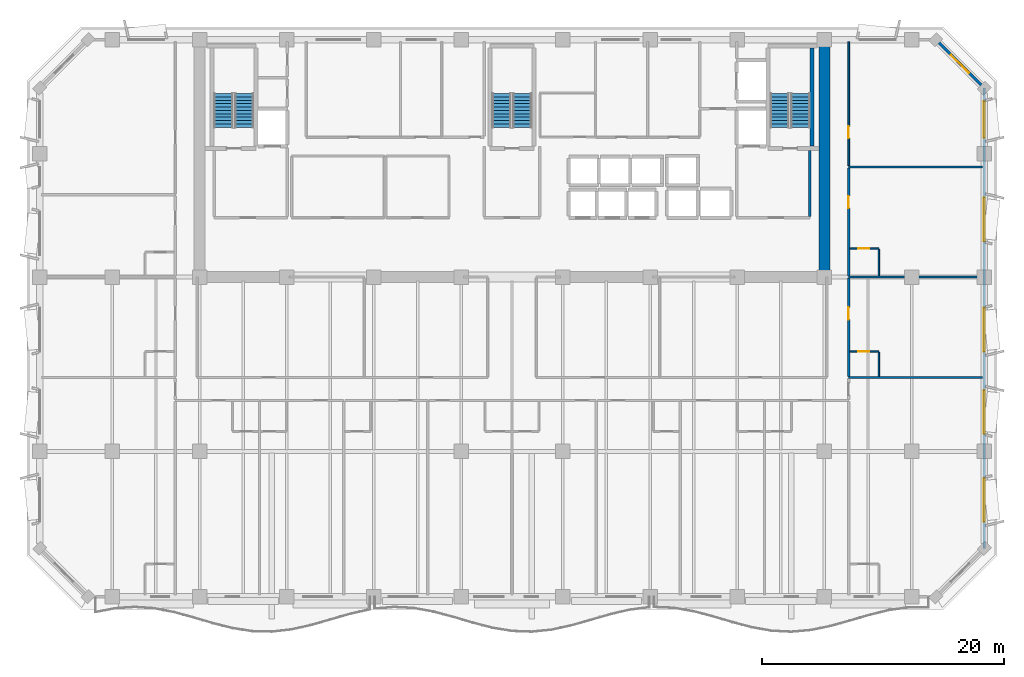
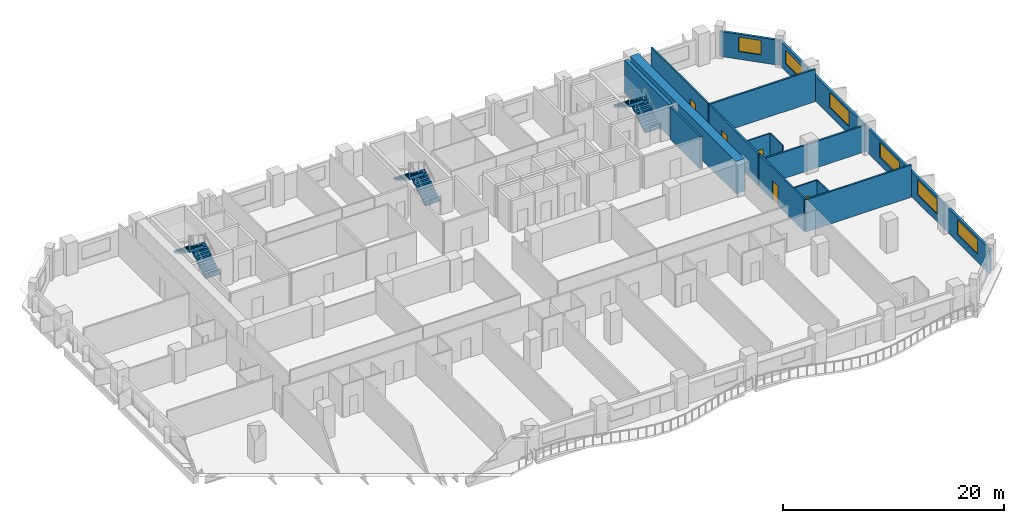
# One storey, part 9 of 14: 15 walls, 6 stair flights, 6 windows, 5 doors, 11 openings, 3 elements without a shape of their own.
"""IFC4 building model written with IfcOpenShell, lengths in metres."""

from ifc_helpers import new_model, si_unit, direction, frame, frame_2d, origin, place, context, subcontext, project, spatial, polyline, rectangle, outline, extrude, material, layer, layer_set, type_object, element, fill, aggregate, save


model = new_model("IFC4")

# Units and contexts
model_context = context("Model", 3, precision=1e-05, world=origin(), true_north=direction((0.0, 1.0)))
body_context = subcontext(model_context, "Body", "Model", "MODEL_VIEW")
ifc_project = project(units=[si_unit("LENGTHUNIT", "METRE"), si_unit("AREAUNIT", "SQUARE_METRE"), si_unit("VOLUMEUNIT", "CUBIC_METRE"), si_unit("PLANEANGLEUNIT", "RADIAN"), si_unit("MASSUNIT", "GRAM", prefix="KILO")], contexts=[model_context])

# Site, building, storey
site_placement = place(None, origin())
site = spatial("IfcSite", under=ifc_project, at=site_placement, CompositionType="ELEMENT")
building_placement = place(site_placement, origin())
building = spatial("IfcBuilding", under=site, at=building_placement, Name="Kaelvorn Grand Hotel", CompositionType="ELEMENT")
storey_placement = place(building_placement, frame((0.0, 0.0, 165.75)))
storey = spatial("IfcBuildingStorey", under=building, at=storey_placement, Name="L40", CompositionType="ELEMENT", Elevation=165.75)

# Wall
ifc_material_1 = material(Name="Concrete C60/75", Category="concrete")
ifc_layer_1 = layer(ifc_material_1, 0.89990234375)
ifc_layer_set_1 = layer_set([ifc_layer_1], Name="Concrete C60/75")
wall_type_1 = type_object("IfcWallType", Name="WL-CORE-900-C60", PredefinedType="SHEAR", material=ifc_layer_set_1)
wall_1_placement = place(storey_placement, frame((67.800048828125, 29.39990234375, 0.0), z_axis=(0.0, 0.0, 1.0), x_axis=(0.0, 1.0, 0.0)))
element("IfcWall", 1, at=wall_1_placement, inside=storey, type_object=wall_type_1, Name="L40 Rear-Core East Shear Wall", PredefinedType="SHEAR", context=body_context, shape_type="SweptSolid", body=[
    extrude(rectangle(XDim=19.2001953125, YDim=0.89990234375, at=frame_2d((9.60009765625, 0.0))), origin(), (0.0, 0.0, 1.0), 3.56005859375),
])

# Wall, openings, windows
ifc_material_2 = material(Name="Concrete C40/50", Category="concrete")
ifc_layer_2 = layer(ifc_material_2, 0.239990234375)
ifc_layer_set_2 = layer_set([ifc_layer_2], Name="Concrete C40/50")
wall_type_2 = type_object("IfcWallType", Name="WL-EXT-240-C40", PredefinedType="SOLIDWALL", material=ifc_layer_set_2)
wall_2_placement = place(storey_placement, frame((81.0, 7.0, 0.0), z_axis=(0.0, 0.0, 1.0), x_axis=(0.0, 1.0, 0.0)))
wall_2 = element("IfcWall", 2, at=wall_2_placement, inside=storey, type_object=wall_type_2, Name="L40 Exterior Architectural Concrete Wall 03", PredefinedType="SOLIDWALL", context=body_context, shape_type="SweptSolid", body=[
    extrude(rectangle(XDim=38.0, YDim=0.239990234375, at=frame_2d((19.0, 0.0))), origin(), (0.0, 0.0, 1.0), 2.760009765625),
])
opening_1_placement = place(wall_2_placement, frame((2.199951171875, 0.0, 0.85009765625)))
opening_1 = element("IfcOpeningElement", 3, at=opening_1_placement, cuts=wall_2, Name="Opening W3", PredefinedType="OPENING", context=body_context, shape_type="SweptSolid", body=[
    extrude(rectangle(XDim=3.60009765625, YDim=1.64990234375, at=frame_2d((1.800048828125, 0.824951171875))), frame((0.0, 0.1298828125, 0.0), z_axis=(0.0, -1.0, 0.0), x_axis=(1.0, 0.0, 0.0)), (0.0, 0.0, 1.0), 0.260009765625),
])
opening_2_placement = place(wall_2_placement, frame((9.449951171875, 0.0, 0.85009765625)))
opening_2 = element("IfcOpeningElement", 4, at=opening_2_placement, cuts=wall_2, Name="Opening W3", PredefinedType="OPENING", context=body_context, shape_type="SweptSolid", body=[
    extrude(rectangle(XDim=3.60009765625, YDim=1.64990234375, at=frame_2d((1.800048828125, 0.824951171875))), frame((0.0, 0.1298828125, 0.0), z_axis=(0.0, -1.0, 0.0), x_axis=(1.0, 0.0, 0.0)), (0.0, 0.0, 1.0), 0.260009765625),
])
opening_3_placement = place(wall_2_placement, frame((16.25, 0.0, 0.85009765625)))
opening_3 = element("IfcOpeningElement", 5, at=opening_3_placement, cuts=wall_2, Name="Opening W3", PredefinedType="OPENING", context=body_context, shape_type="SweptSolid", body=[
    extrude(rectangle(XDim=3.60009765625, YDim=1.64990234375, at=frame_2d((1.800048828125, 0.824951171875))), frame((0.0, 0.1298828125, 0.0), z_axis=(0.0, -1.0, 0.0), x_axis=(1.0, 0.0, 0.0)), (0.0, 0.0, 1.0), 0.260009765625),
])
opening_4_placement = place(wall_2_placement, frame((25.35009765625, 0.0, 0.85009765625)))
opening_4 = element("IfcOpeningElement", 6, at=opening_4_placement, cuts=wall_2, Name="Opening W3", PredefinedType="OPENING", context=body_context, shape_type="SweptSolid", body=[
    extrude(rectangle(XDim=3.60009765625, YDim=1.64990234375, at=frame_2d((1.800048828125, 0.824951171875))), frame((0.0, 0.1298828125, 0.0), z_axis=(0.0, -1.0, 0.0), x_axis=(1.0, 0.0, 0.0)), (0.0, 0.0, 1.0), 0.260009765625),
])
opening_5_placement = place(wall_2_placement, frame((33.9150390625, 0.0, 0.85009765625)))
opening_5 = element("IfcOpeningElement", 7, at=opening_5_placement, cuts=wall_2, Name="Opening W5", PredefinedType="OPENING", context=body_context, shape_type="SweptSolid", body=[
    extrude(rectangle(XDim=3.0, YDim=1.5, at=frame_2d((1.5, 0.75))), frame((0.0, 0.1298828125, 0.0), z_axis=(0.0, -1.0, 0.0), x_axis=(1.0, 0.0, 0.0)), (0.0, 0.0, 1.0), 0.260009765625),
])
ifc_material_3 = material(Name="Laminated Low-E Glass", Category="glass")
window_type_1 = type_object("IfcWindowType", Name="WIN-NTH-3000x1500", PartitioningType="SINGLE_PANEL", PredefinedType="WINDOW", material=ifc_material_3)
window_1_placement = place(opening_5_placement, origin())
window_1 = element("IfcWindow", 8, at=window_1_placement, inside=storey, type_object=window_type_1, Name="L40 E Wing Tilted-Frame Ribbon Window E05", OverallHeight=1.5, OverallWidth=3.0, PartitioningType="SINGLE_PANEL", PredefinedType="WINDOW", context=body_context, shape_type="SweptSolid", body=[
    extrude(rectangle(XDim=3.0, YDim=1.5, at=frame_2d((1.5, 0.75))), frame((0.0, 0.030029296875, 0.0), z_axis=(0.0, -1.0, 0.0), x_axis=(1.0, 0.0, 0.0)), (0.0, 0.0, 1.0), 0.06005859375),
])
fill(opening_5, window_1)
window_type_2 = type_object("IfcWindowType", Name="WIN-RIB-3600x1750", PartitioningType="SINGLE_PANEL", PredefinedType="WINDOW", material=ifc_material_3)
window_2_placement = place(opening_1_placement, origin())
window_2 = element("IfcWindow", 9, at=window_2_placement, inside=storey, type_object=window_type_2, Name="L40 E Wing Tilted-Frame Ribbon Window E01", OverallHeight=1.64990234375, OverallWidth=3.60009765625, PartitioningType="SINGLE_PANEL", PredefinedType="WINDOW", context=body_context, shape_type="SweptSolid", body=[
    extrude(rectangle(XDim=3.60009765625, YDim=1.64990234375, at=frame_2d((1.800048828125, 0.824951171875))), frame((0.0, 0.030029296875, 0.0), z_axis=(0.0, -1.0, 0.0), x_axis=(1.0, 0.0, 0.0)), (0.0, 0.0, 1.0), 0.06005859375),
])
fill(opening_1, window_2)
window_3_placement = place(opening_2_placement, origin())
window_3 = element("IfcWindow", 10, at=window_3_placement, inside=storey, type_object=window_type_2, Name="L40 E Wing Tilted-Frame Ribbon Window E02", OverallHeight=1.64990234375, OverallWidth=3.60009765625, PartitioningType="SINGLE_PANEL", PredefinedType="WINDOW", context=body_context, shape_type="SweptSolid", body=[
    extrude(rectangle(XDim=3.60009765625, YDim=1.64990234375, at=frame_2d((1.800048828125, 0.824951171875))), frame((0.0, 0.030029296875, 0.0), z_axis=(0.0, -1.0, 0.0), x_axis=(1.0, 0.0, 0.0)), (0.0, 0.0, 1.0), 0.06005859375),
])
fill(opening_2, window_3)
window_4_placement = place(opening_3_placement, origin())
window_4 = element("IfcWindow", 11, at=window_4_placement, inside=storey, type_object=window_type_2, Name="L40 E Wing Tilted-Frame Ribbon Window E03", OverallHeight=1.64990234375, OverallWidth=3.60009765625, PartitioningType="SINGLE_PANEL", PredefinedType="WINDOW", context=body_context, shape_type="SweptSolid", body=[
    extrude(rectangle(XDim=3.60009765625, YDim=1.64990234375, at=frame_2d((1.800048828125, 0.824951171875))), frame((0.0, 0.030029296875, 0.0), z_axis=(0.0, -1.0, 0.0), x_axis=(1.0, 0.0, 0.0)), (0.0, 0.0, 1.0), 0.06005859375),
])
fill(opening_3, window_4)
window_5_placement = place(opening_4_placement, origin())
window_5 = element("IfcWindow", 12, at=window_5_placement, inside=storey, type_object=window_type_2, Name="L40 E Wing Tilted-Frame Ribbon Window E04", OverallHeight=1.64990234375, OverallWidth=3.60009765625, PartitioningType="SINGLE_PANEL", PredefinedType="WINDOW", context=body_context, shape_type="SweptSolid", body=[
    extrude(rectangle(XDim=3.60009765625, YDim=1.64990234375, at=frame_2d((1.800048828125, 0.824951171875))), frame((0.0, 0.030029296875, 0.0), z_axis=(0.0, -1.0, 0.0), x_axis=(1.0, 0.0, 0.0)), (0.0, 0.0, 1.0), 0.06005859375),
])
fill(opening_4, window_5)

# Wall, opening, window
wall_3_placement = place(storey_placement, frame((81.0, 45.0, 0.0), z_axis=(0.0, 0.0, 1.0), x_axis=(-0.707106781187, 0.707106781187, 0.0)))
wall_3 = element("IfcWall", 13, at=wall_3_placement, inside=storey, type_object=wall_type_2, Name="L40 Exterior Architectural Concrete Wall 04", PredefinedType="SOLIDWALL", context=body_context, shape_type="SweptSolid", body=[
    extrude(rectangle(XDim=5.65673828125, YDim=0.239990234375, at=frame_2d((2.828369140625, 0.0))), origin(), (0.0, 0.0, 1.0), 2.760009765625),
])
opening_6_placement = place(wall_3_placement, frame((1.7783203125, 0.0, 0.85009765625)))
opening_6 = element("IfcOpeningElement", 14, at=opening_6_placement, cuts=wall_3, Name="Opening W7", PredefinedType="OPENING", context=body_context, shape_type="SweptSolid", body=[
    extrude(rectangle(XDim=2.10009765625, YDim=1.60009765625, at=frame_2d((1.050048828125, 0.800048828125))), frame((0.0, 0.1298828125, 0.0), z_axis=(0.0, -1.0, 0.0), x_axis=(1.0, 0.0, 0.0)), (0.0, 0.0, 1.0), 0.260009765625),
])
window_type_3 = type_object("IfcWindowType", Name="WIN-CHM-2100x1600", PartitioningType="SINGLE_PANEL", PredefinedType="WINDOW", material=ifc_material_3)
window_6_placement = place(opening_6_placement, origin())
window_6 = element("IfcWindow", 15, at=window_6_placement, inside=storey, type_object=window_type_3, Name="L40 Chamfered 45-Degree Corner Window NE", OverallHeight=1.60009765625, OverallWidth=2.10009765625, PartitioningType="SINGLE_PANEL", PredefinedType="WINDOW", context=body_context, shape_type="SweptSolid", body=[
    extrude(rectangle(XDim=2.10009765625, YDim=1.60009765625, at=frame_2d((1.050048828125, 0.800048828125))), frame((0.0, 0.030029296875, 0.0), z_axis=(0.0, -1.0, 0.0), x_axis=(1.0, 0.0, 0.0)), (0.0, 0.0, 1.0), 0.06005859375),
])
fill(opening_6, window_6)

# Wall, opening, door
ifc_material_4 = material(Name="Moisture-Resistant Tile & Stud Board")
ifc_layer_3 = layer(ifc_material_4, 0.125)
ifc_layer_set_3 = layer_set([ifc_layer_3], Name="Moisture-Resistant Tile & Stud Board")
wall_type_3 = type_object("IfcWallType", Name="WL-PART-125-WET", PredefinedType="PARTITIONING", material=ifc_layer_set_3)
wall_4_placement = place(storey_placement, frame((69.89501953125, 23.260009765625, 0.0), z_axis=(0.0, 0.0, 1.0), x_axis=(1.0, 0.0, 0.0)))
wall_4 = element("IfcWall", 16, at=wall_4_placement, inside=storey, type_object=wall_type_3, Name="L40 En-suite Bathroom L40-12 N Partition", PredefinedType="PARTITIONING", context=body_context, shape_type="SweptSolid", body=[
    extrude(rectangle(XDim=2.405029296875, YDim=0.125, at=frame_2d((1.20263671875, 0.0))), origin(), (0.0, 0.0, 1.0), 3.56005859375),
])
opening_7_placement = place(wall_4_placement, frame((0.705078125, 0.0, 0.0)))
opening_7 = element("IfcOpeningElement", 17, at=opening_7_placement, cuts=wall_4, Name="Opening DI4", PredefinedType="OPENING", context=body_context, shape_type="SweptSolid", body=[
    extrude(rectangle(XDim=0.89990234375, YDim=2.10009765625, at=frame_2d((0.449951171875, 1.050048828125))), frame((0.0, 0.072509765625, 0.0), z_axis=(0.0, -1.0, 0.0), x_axis=(1.0, 0.0, 0.0)), (0.0, 0.0, 1.0), 0.14501953125),
])
ifc_material_5 = material(Name="Timber Veneer Leaf", Category="wood")
door_type_1 = type_object("IfcDoorType", Name="DR-INT-BATH-900x2100", OperationType="NOTDEFINED", PredefinedType="DOOR", material=ifc_material_5)
door_1_placement = place(opening_7_placement, origin())
door_1 = element("IfcDoor", 18, at=door_1_placement, inside=storey, type_object=door_type_1, Name="L40 En-suite Bathroom L40-12 Door", OperationType="SINGLE_SWING_LEFT", OverallHeight=2.10009765625, OverallWidth=0.89990234375, PredefinedType="DOOR", context=body_context, shape_type="SweptSolid", body=[
    extrude(rectangle(XDim=0.89990234375, YDim=2.10009765625, at=frame_2d((0.449951171875, 1.050048828125))), frame((0.0, 0.02490234375, 0.0), z_axis=(0.0, -1.0, 0.0), x_axis=(1.0, 0.0, 0.0)), (0.0, 0.0, 1.0), 0.050048828125),
])
fill(opening_7, door_1)

# Wall
wall_5_placement = place(storey_placement, frame((72.300048828125, 21.195068359375, 0.0), z_axis=(0.0, 0.0, 1.0), x_axis=(0.0, 1.0, 0.0)))
element("IfcWall", 19, at=wall_5_placement, inside=storey, type_object=wall_type_3, Name="L40 En-suite Bathroom L40-12 E Partition", PredefinedType="PARTITIONING", context=body_context, shape_type="SweptSolid", body=[
    extrude(rectangle(XDim=1.997314453125, YDim=0.125, at=frame_2d((0.99853515625, 0.0))), origin(), (0.0, 0.0, 1.0), 3.56005859375),
])

# Wall, opening, door
wall_6_placement = place(storey_placement, frame((69.89501953125, 31.77001953125, 0.0), z_axis=(0.0, 0.0, 1.0), x_axis=(1.0, 0.0, 0.0)))
wall_6 = element("IfcWall", 20, at=wall_6_placement, inside=storey, type_object=wall_type_3, Name="L40 En-suite Bathroom L40-14 N Partition", PredefinedType="PARTITIONING", context=body_context, shape_type="SweptSolid", body=[
    extrude(rectangle(XDim=2.405029296875, YDim=0.125, at=frame_2d((1.20263671875, 0.0))), origin(), (0.0, 0.0, 1.0), 3.56005859375),
])
opening_8_placement = place(wall_6_placement, frame((0.705078125, 0.0, 0.0)))
opening_8 = element("IfcOpeningElement", 21, at=opening_8_placement, cuts=wall_6, Name="Opening DI4", PredefinedType="OPENING", context=body_context, shape_type="SweptSolid", body=[
    extrude(rectangle(XDim=0.89990234375, YDim=2.10009765625, at=frame_2d((0.449951171875, 1.050048828125))), frame((0.0, 0.072509765625, 0.0), z_axis=(0.0, -1.0, 0.0), x_axis=(1.0, 0.0, 0.0)), (0.0, 0.0, 1.0), 0.14501953125),
])
door_2_placement = place(opening_8_placement, origin())
door_2 = element("IfcDoor", 22, at=door_2_placement, inside=storey, type_object=door_type_1, Name="L40 En-suite Bathroom L40-14 Door", OperationType="SINGLE_SWING_RIGHT", OverallHeight=2.10009765625, OverallWidth=0.89990234375, PredefinedType="DOOR", context=body_context, shape_type="SweptSolid", body=[
    extrude(rectangle(XDim=0.89990234375, YDim=2.10009765625, at=frame_2d((0.449951171875, 1.050048828125))), frame((0.0, 0.02490234375, 0.0), z_axis=(0.0, -1.0, 0.0), x_axis=(1.0, 0.0, 0.0)), (0.0, 0.0, 1.0), 0.050048828125),
])
fill(opening_8, door_2)

# Wall
wall_7_placement = place(storey_placement, frame((72.300048828125, 29.4951171875, 0.0), z_axis=(0.0, 0.0, 1.0), x_axis=(0.0, 1.0, 0.0)))
element("IfcWall", 23, at=wall_7_placement, inside=storey, type_object=wall_type_3, Name="L40 En-suite Bathroom L40-14 E Partition", PredefinedType="PARTITIONING", context=body_context, shape_type="SweptSolid", body=[
    extrude(rectangle(XDim=2.207275390625, YDim=0.125, at=frame_2d((1.103515625, 0.0))), origin(), (0.0, 0.0, 1.0), 3.56005859375),
])

# Wall, opening, door
ifc_material_6 = material(Name="Acoustic Gypsum & Stud Partition")
ifc_layer_4 = layer(ifc_material_6, 0.14990234375)
ifc_layer_set_4 = layer_set([ifc_layer_4], Name="Acoustic Gypsum & Stud Partition")
wall_type_4 = type_object("IfcWallType", Name="WL-PART-150-EI60", PredefinedType="PARTITIONING", material=ifc_layer_set_4)
wall_8_placement = place(storey_placement, frame((69.800048828125, 38.594970703125, 0.0), z_axis=(0.0, 0.0, 1.0), x_axis=(0.0, 1.0, 0.0)))
wall_8 = element("IfcWall", 24, at=wall_8_placement, inside=storey, type_object=wall_type_4, Name="L40 North-East Diplomatic Living Room W Partition", PredefinedType="PARTITIONING", context=body_context, shape_type="SweptSolid", body=[
    extrude(rectangle(XDim=10.255126953125, YDim=0.14990234375, at=frame_2d((5.12744140625, 0.0))), origin(), (0.0, 0.0, 1.0), 3.56005859375),
])
opening_9_placement = place(wall_8_placement, frame((2.2548828125, 0.0, 0.0)))
opening_9 = element("IfcOpeningElement", 25, at=opening_9_placement, cuts=wall_8, Name="Opening DI3", PredefinedType="OPENING", context=body_context, shape_type="SweptSolid", body=[
    extrude(rectangle(XDim=1.0, YDim=2.14990234375, at=frame_2d((0.5, 1.074951171875))), frame((0.0, 0.0849609375, 0.0), z_axis=(0.0, -1.0, 0.0), x_axis=(1.0, 0.0, 0.0)), (0.0, 0.0, 1.0), 0.169921875),
])
ifc_material_7 = material(Name="Timber Veneer Fire Leaf", Category="wood")
door_type_2 = type_object("IfcDoorType", Name="DR-INT-GUEST-1000x2150", OperationType="NOTDEFINED", PredefinedType="DOOR", material=ifc_material_7)
door_3_placement = place(opening_9_placement, origin())
door_3 = element("IfcDoor", 26, at=door_3_placement, inside=storey, type_object=door_type_2, Name="L40 North-East Diplomatic Living Room Door", OperationType="SINGLE_SWING_LEFT", OverallHeight=2.14990234375, OverallWidth=1.0, PredefinedType="DOOR", context=body_context, shape_type="SweptSolid", body=[
    extrude(rectangle(XDim=1.0, YDim=2.14990234375, at=frame_2d((0.5, 1.074951171875))), frame((0.0, 0.02490234375, 0.0), z_axis=(0.0, -1.0, 0.0), x_axis=(1.0, 0.0, 0.0)), (0.0, 0.0, 1.0), 0.050048828125),
])
fill(opening_9, door_3)

# Walls
ifc_layer_5 = layer(ifc_material_6, 0.179931640625)
ifc_layer_set_5 = layer_set([ifc_layer_5], Name="Acoustic Gypsum & Stud Partition")
wall_type_5 = type_object("IfcWallType", Name="WL-PART-180-EI60", PredefinedType="PARTITIONING", material=ifc_layer_set_5)
wall_9_placement = place(storey_placement, frame((69.800048828125, 21.10009765625, 0.0), z_axis=(0.0, 0.0, 1.0), x_axis=(1.0, 0.0, 0.0)))
element("IfcWall", 27, at=wall_9_placement, inside=storey, type_object=wall_type_5, Name="L40 South-East Chamfer Suite L40-11 N Partition", PredefinedType="PARTITIONING", context=body_context, shape_type="SweptSolid", body=[
    extrude(rectangle(XDim=11.050048828125, YDim=0.179931640625, at=frame_2d((5.52490234375, 0.0))), origin(), (0.0, 0.0, 1.0), 3.56005859375),
])
wall_10_placement = place(storey_placement, frame((69.800048828125, 29.39990234375, 0.0), z_axis=(0.0, 0.0, 1.0), x_axis=(1.0, 0.0, 0.0)))
element("IfcWall", 28, at=wall_10_placement, inside=storey, type_object=wall_type_5, Name="L40 East End Panoramic Suite L40-12 N Partition", PredefinedType="PARTITIONING", context=body_context, shape_type="SweptSolid", body=[
    extrude(rectangle(XDim=11.050048828125, YDim=0.179931640625, at=frame_2d((5.52490234375, 0.0))), origin(), (0.0, 0.0, 1.0), 2.909912109375),
])

# Wall, opening, door
wall_11_placement = place(storey_placement, frame((69.800048828125, 21.195068359375, 0.0), z_axis=(0.0, 0.0, 1.0), x_axis=(0.0, 1.0, 0.0)))
wall_11 = element("IfcWall", 29, at=wall_11_placement, inside=storey, type_object=wall_type_5, Name="L40 East End Panoramic Suite L40-12 W Partition", PredefinedType="PARTITIONING", context=body_context, shape_type="SweptSolid", body=[
    extrude(rectangle(XDim=8.10986328125, YDim=0.179931640625, at=frame_2d((4.054931640625, 0.0))), origin(), (0.0, 0.0, 1.0), 3.56005859375),
])
opening_10_placement = place(wall_11_placement, frame((4.695068359375, 0.0, 0.0)))
opening_10 = element("IfcOpeningElement", 30, at=opening_10_placement, cuts=wall_11, Name="Opening DI3", PredefinedType="OPENING", context=body_context, shape_type="SweptSolid", body=[
    extrude(rectangle(XDim=1.0, YDim=2.14990234375, at=frame_2d((0.5, 1.074951171875))), frame((0.0, 0.10009765625, 0.0), z_axis=(0.0, -1.0, 0.0), x_axis=(1.0, 0.0, 0.0)), (0.0, 0.0, 1.0), 0.199951171875),
])
door_4_placement = place(opening_10_placement, origin())
door_4 = element("IfcDoor", 31, at=door_4_placement, inside=storey, type_object=door_type_2, Name="L40 East End Panoramic Suite L40-12 Door", OperationType="SINGLE_SWING_RIGHT", OverallHeight=2.14990234375, OverallWidth=1.0, PredefinedType="DOOR", context=body_context, shape_type="SweptSolid", body=[
    extrude(rectangle(XDim=1.0, YDim=2.14990234375, at=frame_2d((0.5, 1.074951171875))), frame((0.0, 0.02490234375, 0.0), z_axis=(0.0, -1.0, 0.0), x_axis=(1.0, 0.0, 0.0)), (0.0, 0.0, 1.0), 0.050048828125),
])
fill(opening_10, door_4)

# Wall
wall_12_placement = place(storey_placement, frame((69.800048828125, 38.5, 0.0), z_axis=(0.0, 0.0, 1.0), x_axis=(1.0, 0.0, 0.0)))
element("IfcWall", 32, at=wall_12_placement, inside=storey, type_object=wall_type_5, Name="L40 North-East Wing Suite L40-14 N Partition", PredefinedType="PARTITIONING", context=body_context, shape_type="SweptSolid", body=[
    extrude(rectangle(XDim=11.050048828125, YDim=0.179931640625, at=frame_2d((5.52490234375, 0.0))), origin(), (0.0, 0.0, 1.0), 3.56005859375),
])

# Wall, opening, door
wall_13_placement = place(storey_placement, frame((69.800048828125, 29.4951171875, 0.0), z_axis=(0.0, 0.0, 1.0), x_axis=(0.0, 1.0, 0.0)))
wall_13 = element("IfcWall", 33, at=wall_13_placement, inside=storey, type_object=wall_type_5, Name="L40 North-East Wing Suite L40-14 W Partition", PredefinedType="PARTITIONING", context=body_context, shape_type="SweptSolid", body=[
    extrude(rectangle(XDim=8.909912109375, YDim=0.179931640625, at=frame_2d((4.455078125, 0.0))), origin(), (0.0, 0.0, 1.0), 3.56005859375),
])
opening_11_placement = place(wall_13_placement, frame((5.590087890625, 0.0, 0.0)))
opening_11 = element("IfcOpeningElement", 34, at=opening_11_placement, cuts=wall_13, Name="Opening DI3", PredefinedType="OPENING", context=body_context, shape_type="SweptSolid", body=[
    extrude(rectangle(XDim=1.0, YDim=2.14990234375, at=frame_2d((0.5, 1.074951171875))), frame((0.0, 0.10009765625, 0.0), z_axis=(0.0, -1.0, 0.0), x_axis=(1.0, 0.0, 0.0)), (0.0, 0.0, 1.0), 0.199951171875),
])
door_5_placement = place(opening_11_placement, origin())
door_5 = element("IfcDoor", 35, at=door_5_placement, inside=storey, type_object=door_type_2, Name="L40 North-East Wing Suite L40-14 Door", OperationType="SINGLE_SWING_LEFT", OverallHeight=2.14990234375, OverallWidth=1.0, PredefinedType="DOOR", context=body_context, shape_type="SweptSolid", body=[
    extrude(rectangle(XDim=1.0, YDim=2.14990234375, at=frame_2d((0.5, 1.074951171875))), frame((0.0, 0.02490234375, 0.0), z_axis=(0.0, -1.0, 0.0), x_axis=(1.0, 0.0, 0.0)), (0.0, 0.0, 1.0), 0.050048828125),
])
fill(opening_11, door_5)

# Walls
ifc_layer_6 = layer(ifc_material_2, 0.219970703125)
ifc_layer_set_6 = layer_set([ifc_layer_6], Name="Concrete C40/50")
wall_type_6 = type_object("IfcWallType", Name="WL-PART-220-EI120", PredefinedType="PARTITIONING", material=ifc_layer_set_6)
wall_14_placement = place(storey_placement, frame((66.60009765625, 34.4150390625, 0.0), z_axis=(0.0, 0.0, 1.0), x_axis=(0.0, 1.0, 0.0)))
element("IfcWall", 36, at=wall_14_placement, inside=storey, type_object=wall_type_6, Name="L40 Firefighting Lift Lobby 2 E Partition", PredefinedType="PARTITIONING", context=body_context, shape_type="SweptSolid", body=[
    extrude(rectangle(XDim=5.429931640625, YDim=0.219970703125, at=frame_2d((2.71484375, 0.0))), origin(), (0.0, 0.0, 1.0), 3.56005859375),
])
ifc_layer_7 = layer(ifc_material_1, 0.35009765625)
ifc_layer_set_7 = layer_set([ifc_layer_7], Name="Concrete C60/75")
wall_type_7 = type_object("IfcWallType", Name="WL-SHAFT-350-C60", PredefinedType="SHEAR", material=ifc_layer_set_7)
wall_15_placement = place(storey_placement, frame((66.77490234375, 40.205078125, 0.0), z_axis=(0.0, 0.0, 1.0), x_axis=(0.0, 1.0, 0.0)))
element("IfcWall", 37, at=wall_15_placement, inside=storey, type_object=wall_type_7, Name="L40 ST3 Stair Shaft East Wall", PredefinedType="SHEAR", context=body_context, shape_type="SweptSolid", body=[
    extrude(rectangle(XDim=8.08984375, YDim=0.35009765625, at=frame_2d((4.044921875, 0.0))), origin(), (0.0, 0.0, 1.0), 3.56005859375),
])

# Stair, stair flights
stair_type = type_object("IfcStairType", Name="STR-DOG-1560-R08", PredefinedType="HALF_TURN_STAIR", material=ifc_material_2)
stair_1_placement = place(storey_placement, origin())
stair_1 = element("IfcStair", 38, at=stair_1_placement, inside=storey, type_object=stair_type, Name="L40 West Core Exit Stair ST1", PredefinedType="HALF_TURN_STAIR")
stair_flight_type = type_object("IfcStairFlightType", Name="FLG-DOG-1560-R08", PredefinedType="STRAIGHT", material=ifc_material_2)
stair_flight_1_placement = place(storey_placement, frame((19.89990234375, 41.760009765625, 0.0), z_axis=(0.0, 0.0, 1.0), x_axis=(0.0, 1.0, 0.0)))
stair_flight_1 = element("IfcStairFlight", 39, at=stair_flight_1_placement, type_object=stair_flight_type, Name="ST1 flight 1", NumberOfRisers=11, NumberOfTreads=10, PredefinedType="STRAIGHT", RiserHeight=0.172727273, TreadLength=0.28, context=body_context, shape_type="SweptSolid", body=[
    extrude(outline(polyline([(-0.0048828125, 0.0), (-0.0048828125, 0.0400390625), (0.0, 0.172607421875), (0.280029296875, 0.172607421875), (0.280029296875, 0.345458984375), (0.56005859375, 0.345458984375), (0.56005859375, 0.51806640625), (0.840087890625, 0.51806640625), (0.840087890625, 0.69091796875), (1.1201171875, 0.69091796875), (1.1201171875, 0.863525390625), (1.39990234375, 0.863525390625), (1.39990234375, 1.036376953125), (1.679931640625, 1.036376953125), (1.679931640625, 1.208984375), (1.9599609375, 1.208984375), (1.9599609375, 1.3818359375), (2.239990234375, 1.3818359375), (2.239990234375, 1.554443359375), (2.52001953125, 1.554443359375), (2.52001953125, 1.727294921875), (2.800048828125, 1.727294921875), (2.800048828125, 1.89990234375), (2.804931640625, 1.89990234375), (2.804931640625, 1.551025390625), (0.285400390625, 0.0), (-0.0048828125, 0.0)])), frame((0.0, 0.780029296875, 0.0), z_axis=(0.0, -1.0, 0.0), x_axis=(1.0, 0.0, 0.0)), (0.0, 0.0, 1.0), 1.56005859375),
])
stair_flight_2_placement = place(storey_placement, frame((18.179931640625, 44.56005859375, 1.89990234375), z_axis=(0.0, 0.0, 1.0), x_axis=(0.0, -1.0, 0.0)))
stair_flight_2 = element("IfcStairFlight", 40, at=stair_flight_2_placement, type_object=stair_flight_type, Name="ST1 flight 2", NumberOfRisers=11, NumberOfTreads=10, PredefinedType="STRAIGHT", RiserHeight=0.172727273, TreadLength=0.28, context=body_context, shape_type="SweptSolid", body=[
    extrude(outline(polyline([(-0.0048828125, 0.0), (-0.0048828125, 0.0400390625), (0.0, 0.172607421875), (0.280029296875, 0.172607421875), (0.280029296875, 0.345458984375), (0.56005859375, 0.345458984375), (0.56005859375, 0.51806640625), (0.840087890625, 0.51806640625), (0.840087890625, 0.69091796875), (1.1201171875, 0.69091796875), (1.1201171875, 0.863525390625), (1.39990234375, 0.863525390625), (1.39990234375, 1.036376953125), (1.679931640625, 1.036376953125), (1.679931640625, 1.208984375), (1.9599609375, 1.208984375), (1.9599609375, 1.3818359375), (2.239990234375, 1.3818359375), (2.239990234375, 1.554443359375), (2.52001953125, 1.554443359375), (2.52001953125, 1.727294921875), (2.800048828125, 1.727294921875), (2.800048828125, 1.89990234375), (2.804931640625, 1.89990234375), (2.804931640625, 1.551025390625), (0.285400390625, 0.0), (-0.0048828125, 0.0)])), frame((0.0, 0.780029296875, 0.0), z_axis=(0.0, -1.0, 0.0), x_axis=(1.0, 0.0, 0.0)), (0.0, 0.0, 1.0), 1.56005859375),
])
aggregate(stair_1, [stair_flight_1, stair_flight_2])

stair_2_placement = place(storey_placement, origin())
stair_2 = element("IfcStair", 41, at=stair_2_placement, inside=storey, type_object=stair_type, Name="L40 Central Core Exit Stair ST2", PredefinedType="HALF_TURN_STAIR")
stair_flight_3_placement = place(storey_placement, frame((42.860107421875, 41.760009765625, 0.0), z_axis=(0.0, 0.0, 1.0), x_axis=(0.0, 1.0, 0.0)))
stair_flight_3 = element("IfcStairFlight", 42, at=stair_flight_3_placement, type_object=stair_flight_type, Name="ST2 flight 1", NumberOfRisers=11, NumberOfTreads=10, PredefinedType="STRAIGHT", RiserHeight=0.172727273, TreadLength=0.28, context=body_context, shape_type="SweptSolid", body=[
    extrude(outline(polyline([(-0.0048828125, 0.0), (-0.0048828125, 0.0400390625), (0.0, 0.172607421875), (0.280029296875, 0.172607421875), (0.280029296875, 0.345458984375), (0.56005859375, 0.345458984375), (0.56005859375, 0.51806640625), (0.840087890625, 0.51806640625), (0.840087890625, 0.69091796875), (1.1201171875, 0.69091796875), (1.1201171875, 0.863525390625), (1.39990234375, 0.863525390625), (1.39990234375, 1.036376953125), (1.679931640625, 1.036376953125), (1.679931640625, 1.208984375), (1.9599609375, 1.208984375), (1.9599609375, 1.3818359375), (2.239990234375, 1.3818359375), (2.239990234375, 1.554443359375), (2.52001953125, 1.554443359375), (2.52001953125, 1.727294921875), (2.800048828125, 1.727294921875), (2.800048828125, 1.89990234375), (2.804931640625, 1.89990234375), (2.804931640625, 1.551025390625), (0.285400390625, 0.0), (-0.0048828125, 0.0)])), frame((0.0, 0.780029296875, 0.0), z_axis=(0.0, -1.0, 0.0), x_axis=(1.0, 0.0, 0.0)), (0.0, 0.0, 1.0), 1.56005859375),
])
stair_flight_4_placement = place(storey_placement, frame((41.139892578125, 44.56005859375, 1.89990234375), z_axis=(0.0, 0.0, 1.0), x_axis=(0.0, -1.0, 0.0)))
stair_flight_4 = element("IfcStairFlight", 43, at=stair_flight_4_placement, type_object=stair_flight_type, Name="ST2 flight 2", NumberOfRisers=11, NumberOfTreads=10, PredefinedType="STRAIGHT", RiserHeight=0.172727273, TreadLength=0.28, context=body_context, shape_type="SweptSolid", body=[
    extrude(outline(polyline([(-0.0048828125, 0.0), (-0.0048828125, 0.0400390625), (0.0, 0.172607421875), (0.280029296875, 0.172607421875), (0.280029296875, 0.345458984375), (0.56005859375, 0.345458984375), (0.56005859375, 0.51806640625), (0.840087890625, 0.51806640625), (0.840087890625, 0.69091796875), (1.1201171875, 0.69091796875), (1.1201171875, 0.863525390625), (1.39990234375, 0.863525390625), (1.39990234375, 1.036376953125), (1.679931640625, 1.036376953125), (1.679931640625, 1.208984375), (1.9599609375, 1.208984375), (1.9599609375, 1.3818359375), (2.239990234375, 1.3818359375), (2.239990234375, 1.554443359375), (2.52001953125, 1.554443359375), (2.52001953125, 1.727294921875), (2.800048828125, 1.727294921875), (2.800048828125, 1.89990234375), (2.804931640625, 1.89990234375), (2.804931640625, 1.551025390625), (0.285400390625, 0.0), (-0.0048828125, 0.0)])), frame((0.0, 0.780029296875, 0.0), z_axis=(0.0, -1.0, 0.0), x_axis=(1.0, 0.0, 0.0)), (0.0, 0.0, 1.0), 1.56005859375),
])
aggregate(stair_2, [stair_flight_3, stair_flight_4])

stair_3_placement = place(storey_placement, origin())
stair_3 = element("IfcStair", 44, at=stair_3_placement, inside=storey, type_object=stair_type, Name="L40 East Core Exit Stair ST3", PredefinedType="HALF_TURN_STAIR")
stair_flight_5_placement = place(storey_placement, frame((65.820068359375, 41.760009765625, 0.0), z_axis=(0.0, 0.0, 1.0), x_axis=(0.0, 1.0, 0.0)))
stair_flight_5 = element("IfcStairFlight", 45, at=stair_flight_5_placement, type_object=stair_flight_type, Name="ST3 flight 1", NumberOfRisers=11, NumberOfTreads=10, PredefinedType="STRAIGHT", RiserHeight=0.172727273, TreadLength=0.28, context=body_context, shape_type="SweptSolid", body=[
    extrude(outline(polyline([(-0.0048828125, 0.0), (-0.0048828125, 0.0400390625), (0.0, 0.172607421875), (0.280029296875, 0.172607421875), (0.280029296875, 0.345458984375), (0.56005859375, 0.345458984375), (0.56005859375, 0.51806640625), (0.840087890625, 0.51806640625), (0.840087890625, 0.69091796875), (1.1201171875, 0.69091796875), (1.1201171875, 0.863525390625), (1.39990234375, 0.863525390625), (1.39990234375, 1.036376953125), (1.679931640625, 1.036376953125), (1.679931640625, 1.208984375), (1.9599609375, 1.208984375), (1.9599609375, 1.3818359375), (2.239990234375, 1.3818359375), (2.239990234375, 1.554443359375), (2.52001953125, 1.554443359375), (2.52001953125, 1.727294921875), (2.800048828125, 1.727294921875), (2.800048828125, 1.89990234375), (2.804931640625, 1.89990234375), (2.804931640625, 1.551025390625), (0.285400390625, 0.0), (-0.0048828125, 0.0)])), frame((0.0, 0.780029296875, 0.0), z_axis=(0.0, -1.0, 0.0), x_axis=(1.0, 0.0, 0.0)), (0.0, 0.0, 1.0), 1.56005859375),
])
stair_flight_6_placement = place(storey_placement, frame((64.10009765625, 44.56005859375, 1.89990234375), z_axis=(0.0, 0.0, 1.0), x_axis=(0.0, -1.0, 0.0)))
stair_flight_6 = element("IfcStairFlight", 46, at=stair_flight_6_placement, type_object=stair_flight_type, Name="ST3 flight 2", NumberOfRisers=11, NumberOfTreads=10, PredefinedType="STRAIGHT", RiserHeight=0.172727273, TreadLength=0.28, context=body_context, shape_type="SweptSolid", body=[
    extrude(outline(polyline([(-0.0048828125, 0.0), (-0.0048828125, 0.0400390625), (0.0, 0.172607421875), (0.280029296875, 0.172607421875), (0.280029296875, 0.345458984375), (0.56005859375, 0.345458984375), (0.56005859375, 0.51806640625), (0.840087890625, 0.51806640625), (0.840087890625, 0.69091796875), (1.1201171875, 0.69091796875), (1.1201171875, 0.863525390625), (1.39990234375, 0.863525390625), (1.39990234375, 1.036376953125), (1.679931640625, 1.036376953125), (1.679931640625, 1.208984375), (1.9599609375, 1.208984375), (1.9599609375, 1.3818359375), (2.239990234375, 1.3818359375), (2.239990234375, 1.554443359375), (2.52001953125, 1.554443359375), (2.52001953125, 1.727294921875), (2.800048828125, 1.727294921875), (2.800048828125, 1.89990234375), (2.804931640625, 1.89990234375), (2.804931640625, 1.551025390625), (0.285400390625, 0.0), (-0.0048828125, 0.0)])), frame((0.0, 0.780029296875, 0.0), z_axis=(0.0, -1.0, 0.0), x_axis=(1.0, 0.0, 0.0)), (0.0, 0.0, 1.0), 1.56005859375),
])
aggregate(stair_3, [stair_flight_5, stair_flight_6])

save(model, "model.ifc")
